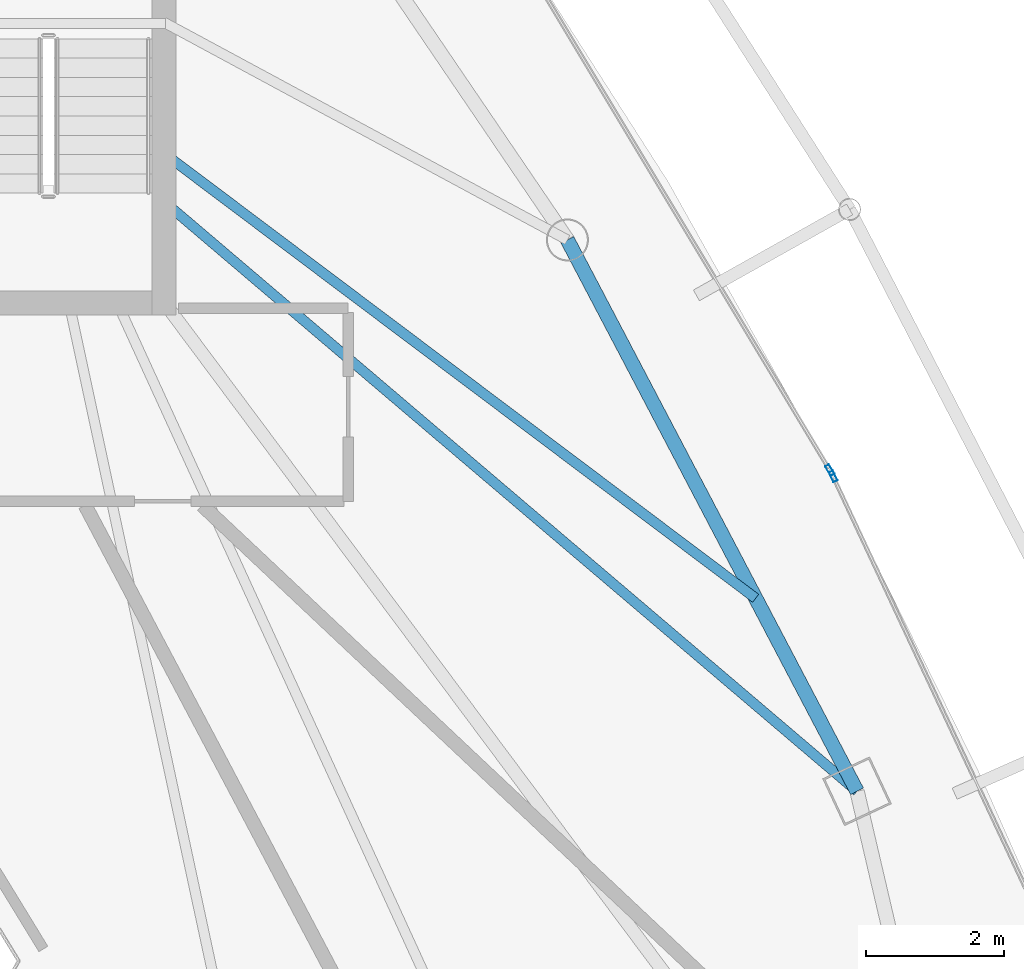
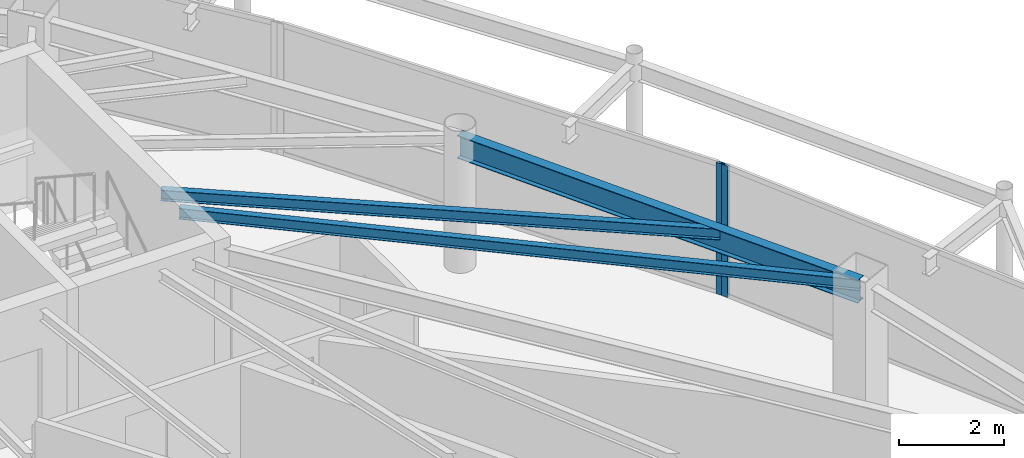
# One storey, part 17 of 29: 3 beams, 2 members, 2 elements without a shape of their own.
"""IFC4 building model written with IfcOpenShell, lengths in metres."""

from ifc_helpers import new_model, si_unit, direction, frame, origin, origin_2d, place, context, subcontext, project, spatial, hollow_rectangle, i_section, extrude, material, layer, layer_set, material_profile, profile_set, type_object, element, aggregate, save


model = new_model("IFC4")

# Units and contexts
model_context = context("Model", 3, precision=1e-05, world=origin(), true_north=direction((0.0, 1.0)))
body_context = subcontext(model_context, "Body", "Model", "MODEL_VIEW")
ifc_project = project(units=[si_unit("LENGTHUNIT", "METRE"), si_unit("AREAUNIT", "SQUARE_METRE"), si_unit("VOLUMEUNIT", "CUBIC_METRE"), si_unit("PLANEANGLEUNIT", "RADIAN"), si_unit("MASSUNIT", "GRAM", prefix="KILO")], contexts=[model_context])

# Site, building, storey
site_placement = place(None, origin())
site = spatial("IfcSite", under=ifc_project, at=site_placement, CompositionType="ELEMENT")
building_placement = place(site_placement, origin())
building = spatial("IfcBuilding", under=site, at=building_placement, Name="Orvanel Arch Residences", CompositionType="ELEMENT")
storey_placement = place(building_placement, frame((0.0, 0.0, 243.64990234375)))
storey = spatial("IfcBuildingStorey", under=building, at=storey_placement, Name="L69", CompositionType="ELEMENT", Elevation=243.64990234375)

# Beams
ifc_material_1 = material(Name="Structural steel AS/NZS 3679.1 Grade 300 (300 MPa)", Category="steel")
ifc_material_profile_1 = material_profile(ifc_material_1, i_section(OverallWidth=0.14599609375, OverallDepth=0.251953125, WebThickness=0.006103515625, FlangeThickness=0.008544921875, at=origin_2d()), Name="250UB31.4")
ifc_profile_set_1 = profile_set([ifc_material_profile_1], Name="Structural steel AS/NZS 3679.1 Grade 300 (300 MPa)")
beam_type_1 = type_object("IfcBeamType", Name="BJ-250UB", PredefinedType="JOIST", material=ifc_profile_set_1)
beam_1_placement = place(storey_placement, frame((39.574951171875, 28.199951171875, 2.93408203125), z_axis=(0.761622669031, -0.64802076357, 0.0), x_axis=(0.64802076357, 0.761622669031, 0.0)))
element("IfcBeam", 1, at=beam_1_placement, inside=storey, type_object=beam_type_1, Name="L69 E Wing Floor Joist", PredefinedType="JOIST", context=body_context, shape_type="SweptSolid", body=[
    extrude(i_section(OverallWidth=0.14599609375, OverallDepth=0.251953125, WebThickness=0.006103515625, FlangeThickness=0.008544921875, at=origin_2d()), origin(), (0.0, 0.0, 1.0), 13.2060546875),
])
beam_2_placement = place(storey_placement, frame((39.574951171875, 28.89990234375, 2.93408203125), z_axis=(0.799211300837, -0.60105016148, 0.0), x_axis=(0.60105016148, 0.799211300837, 0.0)))
element("IfcBeam", 2, at=beam_2_placement, inside=storey, type_object=beam_type_1, Name="L69 CTE Wing Floor Joist", PredefinedType="JOIST", context=body_context, shape_type="SweptSolid", body=[
    extrude(i_section(OverallWidth=0.14599609375, OverallDepth=0.251953125, WebThickness=0.006103515625, FlangeThickness=0.008544921875, at=origin_2d()), origin(), (0.0, 0.0, 1.0), 10.74462890625),
])

# Curtain wall, member
ifc_material_2 = material(Name="Bronze-anodised aluminium AA6063-T6", Category="aluminium")
ifc_layer = layer(ifc_material_2, 0.175048828125)
ifc_layer_set = layer_set([ifc_layer], Name="Bronze-anodised aluminium AA6063-T6")
curtain_wall_type = type_object("IfcCurtainWallType", Name="CW4-HI-SYS", PredefinedType="NOTDEFINED", material=ifc_layer_set)
curtain_wall_1_placement = place(storey_placement, origin())
curtain_wall_1 = element("IfcCurtainWall", 3, at=curtain_wall_1_placement, inside=storey, type_object=curtain_wall_type, Name="L69 CW4-HI-SYS Unitised Curtain Wall", PredefinedType="NOTDEFINED")
ifc_material_profile_2 = material_profile(ifc_material_2, hollow_rectangle(XDim=0.06494140625, YDim=0.159912109375, WallThickness=0.00390625, at=origin_2d()), Name="ALU160x65x4")
ifc_profile_set_2 = profile_set([ifc_material_profile_2], Name="Bronze-anodised aluminium AA6063-T6")
member_type = type_object("IfcMemberType", Name="MUL-160x65", PredefinedType="MULLION", material=ifc_profile_set_2)
member_1_placement = place(storey_placement, frame((49.286865234375, 24.21044921875, 0.0), z_axis=(0.0, 0.0, 1.0), x_axis=(-0.9059146694, -0.423460283576, 0.0)))
member_1 = element("IfcMember", 4, at=member_1_placement, type_object=member_type, Name="CW-S4 mullion 2", PredefinedType="MULLION", context=body_context, shape_type="SweptSolid", body=[
    extrude(hollow_rectangle(XDim=0.06494140625, YDim=0.159912109375, WallThickness=0.00390625, at=origin_2d()), origin(), (0.0, 0.0, 1.0), 3.06005859375),
])
aggregate(curtain_wall_1, [member_1])

curtain_wall_2_placement = place(storey_placement, origin())
curtain_wall_2 = element("IfcCurtainWall", 5, at=curtain_wall_2_placement, inside=storey, type_object=curtain_wall_type, Name="L69 CW4-HI-SYS Unitised Curtain Wall", PredefinedType="NOTDEFINED")
member_2_placement = place(storey_placement, frame((49.23828125, 24.302978515625, 0.0), z_axis=(0.0, 0.0, 1.0), x_axis=(-0.857511192375, -0.514465309766, 0.0)))
member_2 = element("IfcMember", 6, at=member_2_placement, type_object=member_type, Name="CW-S4 mullion 1", PredefinedType="MULLION", context=body_context, shape_type="SweptSolid", body=[
    extrude(hollow_rectangle(XDim=0.06494140625, YDim=0.159912109375, WallThickness=0.00390625, at=origin_2d()), origin(), (0.0, 0.0, 1.0), 3.06005859375),
])
aggregate(curtain_wall_2, [member_2])

# Beam
ifc_material_profile_3 = material_profile(ifc_material_1, i_section(OverallWidth=0.208984375, OverallDepth=0.532958984375, WebThickness=0.01025390625, FlangeThickness=0.015625, at=origin_2d()), Name="530UB92.4")
ifc_profile_set_3 = profile_set([ifc_material_profile_3], Name="Structural steel AS/NZS 3679.1 Grade 300 (300 MPa)")
beam_type_2 = type_object("IfcBeamType", Name="SP-530UB", PredefinedType="SPANDREL", material=ifc_profile_set_3)
beam_3_placement = place(storey_placement, frame((49.633056640625, 19.64208984375, 2.794189453125), z_axis=(-0.465064762793, 0.885276660942, 0.0), x_axis=(-0.885276660942, -0.465064762793, 0.0)))
element("IfcBeam", 7, at=beam_3_placement, inside=storey, type_object=beam_type_2, Name="L69 Perimeter Spandrel Beam 07", PredefinedType="SPANDREL", context=body_context, shape_type="SweptSolid", body=[
    extrude(i_section(OverallWidth=0.208984375, OverallDepth=0.532958984375, WebThickness=0.01025390625, FlangeThickness=0.015625, at=origin_2d()), origin(), (0.0, 0.0, 1.0), 9.03564453125),
])

save(model, "model.ifc")
